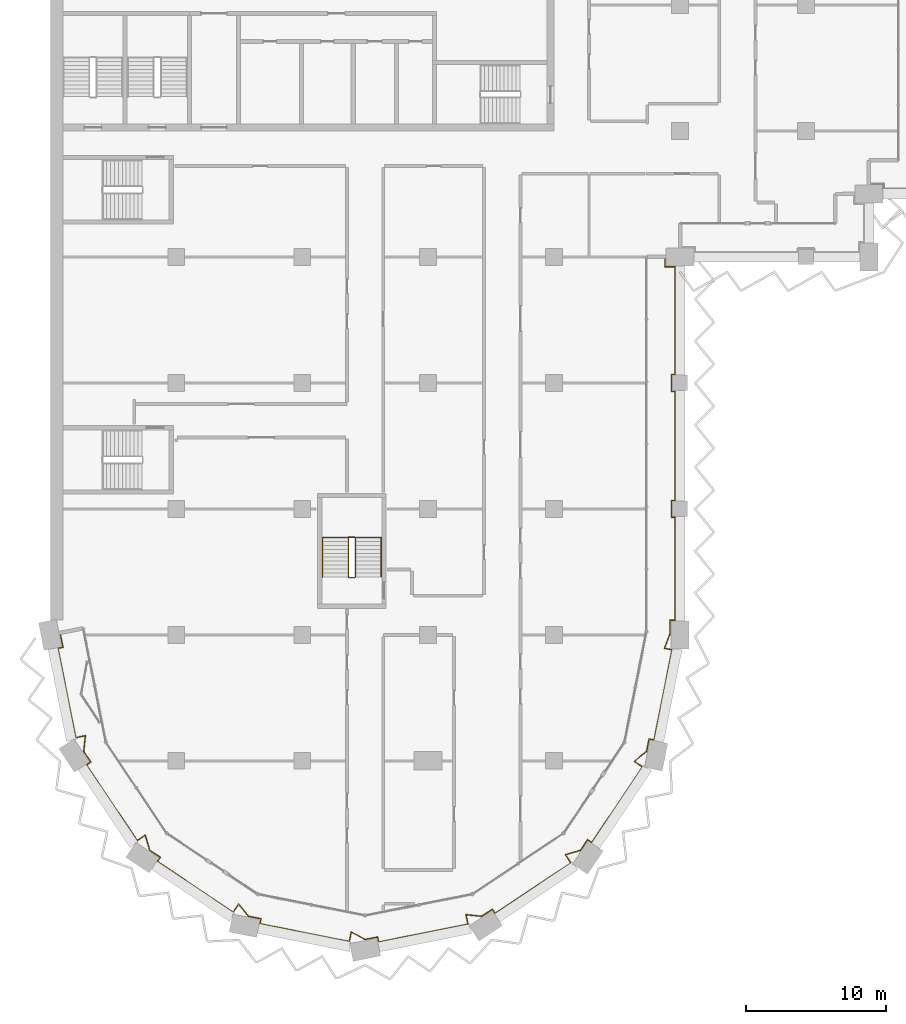
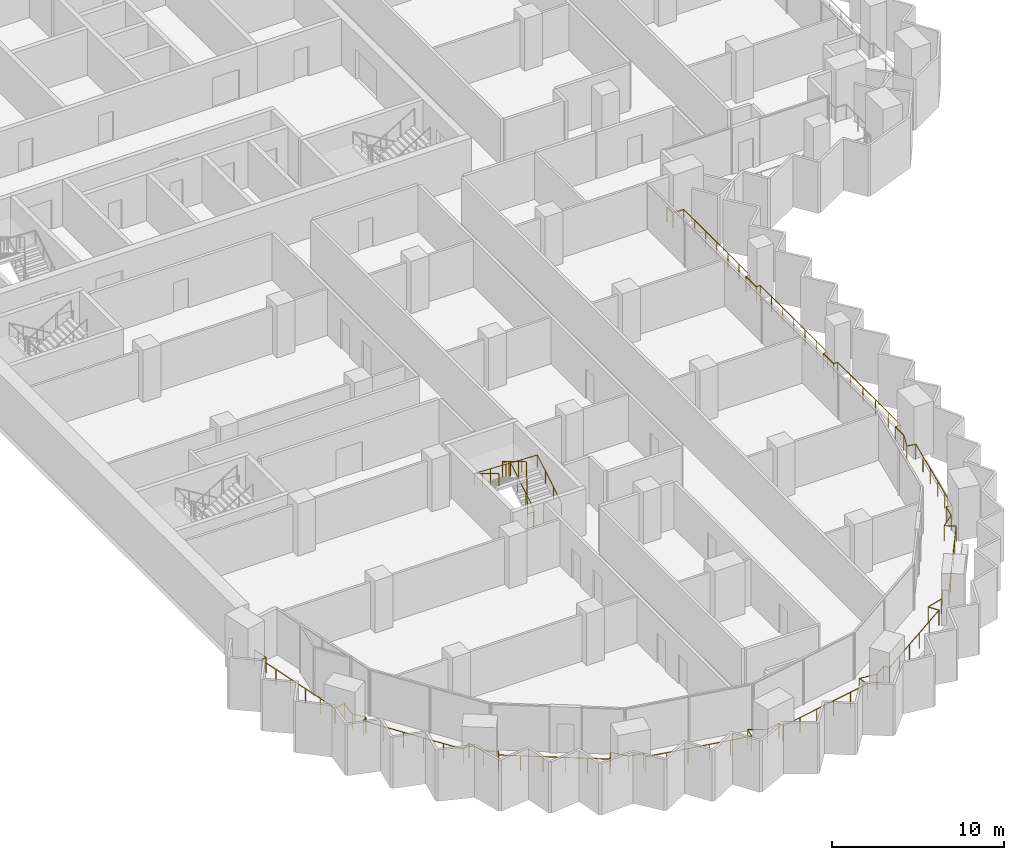
# One storey, part 20 of 23: 3 railings.
"""IFC4 building model written with IfcOpenShell, lengths in metres."""

import ifcopenshell
import ifcopenshell.guid

model = None  # the IFC model being written
_history = None  # IfcOwnerHistory: only IFC2X3 demands one
_inside = {}  # id of a spatial element -> (the spatial element, [elements in it])
_under = {}  # id of a project, library or spatial element -> (it, [spatial elements below it])
_declared = {}  # id of a project -> (the project, [libraries it declares])
_typed = {}  # id of a type object -> (the type object, [elements of that type])
_made_of = {}  # id of a material, layer set ... -> (it, [elements and type objects made of it])


def new_model(schema):
    """Start an empty IFC model of exactly this schema.

    Asked for "IFC4X3", IfcOpenShell would pick the latest addendum, in which some entities
    have other attributes; the version numbers below select the first issue.
    IFC2X3 requires an IfcOwnerHistory on every rooted entity: one is made here for all.
    """
    global model, _history
    if schema == "IFC4X3":
        model = ifcopenshell.file(schema_version=(4, 3, 0, 0))
    else:
        model = ifcopenshell.file(schema=schema)
    _inside.clear()
    _under.clear()
    _declared.clear()
    _typed.clear()
    _made_of.clear()
    _history = None
    if model.schema == "IFC2X3":
        org = make("IfcOrganization", Name="unknown")
        user = make(
            "IfcPersonAndOrganization",
            ThePerson=make("IfcPerson", FamilyName="unknown"),
            TheOrganization=org,
        )
        app = make(
            "IfcApplication",
            ApplicationDeveloper=org,
            Version="unknown",
            ApplicationFullName="unknown",
            ApplicationIdentifier="unknown",
        )
        _history = make(
            "IfcOwnerHistory",
            OwningUser=user,
            OwningApplication=app,
            ChangeAction="ADDED",
            CreationDate=0,
        )
    return model


def make(cls, **values):
    """One entity of the class cls with the attributes given. An attribute that is None is left unset."""
    return model.create_entity(
        cls, **{name: value for name, value in values.items() if value is not None}
    )


def rooted(cls, **values):
    """An entity with a GlobalId (a new one), such as an element, a storey or a relation."""
    return make(cls, GlobalId=ifcopenshell.guid.new(), OwnerHistory=_history, **values)


def si_unit(unit_type, name, prefix=None):
    """IfcSIUnit, for example si_unit("LENGTHUNIT", "METRE", prefix="MILLI")."""
    return make("IfcSIUnit", UnitType=unit_type, Prefix=prefix, Name=name)


def assignment(units):
    """IfcUnitAssignment: the units of a project."""
    return None if units is None else make("IfcUnitAssignment", Units=units)


def point(xyz):
    """IfcCartesianPoint."""
    return None if xyz is None else make("IfcCartesianPoint", Coordinates=xyz)


def direction(xyz):
    """IfcDirection."""
    return None if xyz is None else make("IfcDirection", DirectionRatios=xyz)


def frame(location, z_axis=None, x_axis=None):
    """IfcAxis2Placement3D, a coordinate frame: its origin and axes. An axis left out is left unset."""
    return make(
        "IfcAxis2Placement3D",
        Location=point(location),
        Axis=direction(z_axis),
        RefDirection=direction(x_axis),
    )


def frame_2d(location, x_axis=None):
    """IfcAxis2Placement2D, a coordinate frame in the plane: its origin and x axis."""
    return make(
        "IfcAxis2Placement2D", Location=point(location), RefDirection=direction(x_axis)
    )


def origin():
    """The frame at (0, 0, 0) with its axes left unset."""
    return frame((0.0, 0.0, 0.0))


def origin_2d():
    """The frame at (0, 0) in the plane with its x axis left unset."""
    return frame_2d((0.0, 0.0))


def place(relative_to, where):
    """IfcLocalPlacement: puts the frame where relative to a parent placement (None: the world)."""
    return make(
        "IfcLocalPlacement", PlacementRelTo=relative_to, RelativePlacement=where
    )


def context(
    kind, dimensions, precision=None, world=None, true_north=None, identifier=None
):
    """IfcGeometricRepresentationContext, for example the 3D "Model" context."""
    return make(
        "IfcGeometricRepresentationContext",
        ContextIdentifier=identifier,
        ContextType=kind,
        CoordinateSpaceDimension=dimensions,
        Precision=precision,
        WorldCoordinateSystem=world,
        TrueNorth=true_north,
    )


def subcontext(parent, identifier, kind, view, scale=None):
    """IfcGeometricRepresentationSubContext, for example "Body" below "Model"."""
    return make(
        "IfcGeometricRepresentationSubContext",
        ContextIdentifier=identifier,
        ContextType=kind,
        ParentContext=parent,
        TargetScale=scale,
        TargetView=view,
    )


def project(units=None, contexts=None):
    """IfcProject with its units and contexts."""
    return rooted(
        "IfcProject",
        Name="project",
        RepresentationContexts=contexts,
        UnitsInContext=assignment(units),
    )


def spatial(cls, under=None, at=None, **own):
    """A site, building, storey or space (cls), placed at a placement, below another one or the project."""
    s = rooted(cls, ObjectPlacement=at, **own)
    if under is not None:
        _under.setdefault(under.id(), (under, []))[1].append(s)
    return s


def profile(cls, at=None, kind="AREA", **sizes):
    """A parametric profile (cls). Its sizes go by their IFC names, for example OverallWidth=200.0."""
    return make(cls, ProfileType=kind, Position=at, **sizes)


def circle(**sizes):
    """IfcCircleProfileDef."""
    return profile("IfcCircleProfileDef", **sizes)


def extrude(swept, where, along, depth):
    """IfcExtrudedAreaSolid: the profile swept, set in the frame where, extruded along a direction by depth."""
    return make(
        "IfcExtrudedAreaSolid",
        SweptArea=swept,
        Position=where,
        ExtrudedDirection=direction(along),
        Depth=depth,
    )


def shape(context_of_items, identifier, shape_type, items):
    """IfcShapeRepresentation: the items that make up one representation, for example the "Body"."""
    return make(
        "IfcShapeRepresentation",
        ContextOfItems=context_of_items,
        RepresentationIdentifier=identifier,
        RepresentationType=shape_type,
        Items=items,
    )


def material(Name=None, Category=None):
    """IfcMaterial."""
    return make("IfcMaterial", Name=Name, Category=Category)


def made_of(thing, what):
    """Note that an element or type object is made of a material, layer set ...; save() writes the relation."""
    if what is not None:
        _made_of.setdefault(what.id(), (what, []))[1].append(thing)
    return thing


def type_object(cls, material=None, **own):
    """A type object (cls), such as IfcWallType, which elements share."""
    return made_of(rooted(cls, **own), material)


def element(
    cls,
    number,
    at=None,
    inside=None,
    cuts=None,
    type_object=None,
    material=None,
    context=None,
    identifier="Body",
    shape_type=None,
    held_by="IfcProductDefinitionShape",
    body=None,
    shapes=None,
    **own,
):
    """One element of the class cls, such as IfcWall. Its Tag is "e" and its number.

    at: its placement. inside: the storey or other place that contains it. cuts: it is an
    opening in that element (IfcRelVoidsElement). A single representation is given by context,
    identifier, shape_type and body (its items); several are given by shapes. held_by: the class
    of the entity that holds the representations. save() writes the other relations.
    """
    e = rooted(cls, Tag="e%d" % number, ObjectPlacement=at, **own)
    if body is not None:
        shapes = [shape(context, identifier, shape_type, body)]
    if shapes is not None:
        e.Representation = make(held_by, Representations=shapes)
    if inside is not None:
        _inside.setdefault(inside.id(), (inside, []))[1].append(e)
    if cuts is not None:
        rooted(
            "IfcRelVoidsElement", RelatingBuildingElement=cuts, RelatedOpeningElement=e
        )
    if type_object is not None:
        _typed.setdefault(type_object.id(), (type_object, []))[1].append(e)
    return made_of(e, material)


def aggregate(whole, parts):
    """IfcRelAggregates: a whole, such as a stair, and the parts it consists of."""
    return rooted("IfcRelAggregates", RelatingObject=whole, RelatedObjects=parts)


def save(model, path):
    """Write the relations noted so far, then the file.

    IfcRelAggregates (storeys below a building ...), IfcRelContainedInSpatialStructure (elements
    in a storey), IfcRelDefinesByType, IfcRelAssociatesMaterial and IfcRelDeclares: one each for
    every whole, place, type object, material and project.
    """
    for whole, parts in _under.values():
        aggregate(whole, parts)
    for where, things in _inside.values():
        rooted(
            "IfcRelContainedInSpatialStructure",
            RelatedElements=things,
            RelatingStructure=where,
        )
    for kind, things in _typed.values():
        rooted("IfcRelDefinesByType", RelatedObjects=things, RelatingType=kind)
    for what, things in _made_of.values():
        rooted("IfcRelAssociatesMaterial", RelatedObjects=things, RelatingMaterial=what)
    for by, libraries in _declared.values():
        rooted("IfcRelDeclares", RelatingContext=by, RelatedDefinitions=libraries)
    model.write(path)


model = new_model("IFC4")

# Units and contexts
model_context = context("Model", 3, precision=1e-05, world=origin(), true_north=direction((0.0, 1.0)))
body_context = subcontext(model_context, "Body", "Model", "MODEL_VIEW")
ifc_project = project(units=[si_unit("LENGTHUNIT", "METRE"), si_unit("AREAUNIT", "SQUARE_METRE"), si_unit("VOLUMEUNIT", "CUBIC_METRE"), si_unit("PLANEANGLEUNIT", "RADIAN"), si_unit("MASSUNIT", "GRAM", prefix="KILO")], contexts=[model_context])

# Site, building, storey
site_placement = place(None, origin())
site = spatial("IfcSite", under=ifc_project, at=site_placement, CompositionType="ELEMENT")
building_placement = place(site_placement, origin())
building = spatial("IfcBuilding", under=site, at=building_placement, Name="Hunhe Ridgeline Campus", CompositionType="ELEMENT")
storey_placement = place(building_placement, frame((0.0, 0.0, 170.800048828125)))
storey = spatial("IfcBuildingStorey", under=building, at=storey_placement, Name="L43", CompositionType="ELEMENT", Elevation=170.800048828125)

# Railings
ifc_material_1 = material(Name="Steel Q355", Category="steel")
railing_type_1 = type_object("IfcRailingType", Name="Loggia guard 1100 Steel Q355", PredefinedType="GUARDRAIL", material=ifc_material_1)
railing_1_placement = place(storey_placement, frame((0.7060546875, 27.140380859375, 0.0)))
element("IfcRailing", 1, at=railing_1_placement, inside=storey, type_object=railing_type_1, Name="Loggia guard 1", PredefinedType="GUARDRAIL", context=body_context, shape_type="SweptSolid", body=[
    extrude(circle(Radius=0.02392578125, at=origin_2d()), frame((0.0, 0.0, 1.076171875), z_axis=(0.195087556151, -0.980785830564, 0.0), x_axis=(0.980785830564, 0.195087556151, 0.0)), (0.0, 0.0, 1.0), 1.050048828125),
    extrude(circle(Radius=0.02392578125, at=origin_2d()), frame((0.204833984375, -1.02978515625, 1.076171875), z_axis=(-0.980858940504, -0.194719641621, 0.0), x_axis=(0.194719641621, -0.980858940504, 0.0)), (0.0, 0.0, 1.0), 0.369873046875),
    extrude(circle(Radius=0.02392578125, at=origin_2d()), frame((-0.157958984375, -1.101806640625, 1.076171875), z_axis=(0.19507695386, -0.9807879394, 0.0), x_axis=(0.9807879394, 0.19507695386, 0.0)), (0.0, 0.0, 1.0), 6.506591796875),
    extrude(circle(Radius=0.02392578125, at=origin_2d()), frame((1.111328125, -7.4833984375, 1.076171875), z_axis=(0.980780459814, 0.195114555191, 0.0), x_axis=(-0.195114555191, 0.980780459814, 0.0)), (0.0, 0.0, 1.0), 0.703125),
    extrude(circle(Radius=0.02392578125, at=origin_2d()), frame((1.801025390625, -7.34619140625, 1.076171875), z_axis=(-0.102884402445, -0.994693319437, 0.0), x_axis=(0.994693319437, -0.102884402445, 0.0)), (0.0, 0.0, 1.0), 1.129638671875),
    extrude(circle(Radius=0.02392578125, at=origin_2d()), frame((1.684814453125, -8.4697265625, 1.076171875), z_axis=(0.555569523548, -0.831470086356, 0.0), x_axis=(0.831470086356, 0.555569523548, 0.0)), (0.0, 0.0, 1.0), 0.906982421875),
    extrude(circle(Radius=0.02392578125, at=origin_2d()), frame((2.188720703125, -9.223876953125, 1.076171875), z_axis=(-0.831440678638, -0.555613532868, 0.0), x_axis=(0.555613532868, -0.831440678638, 0.0)), (0.0, 0.0, 1.0), 0.369873046875),
    extrude(circle(Radius=0.02392578125, at=origin_2d()), frame((1.881103515625, -9.429443359375, 1.076171875), z_axis=(0.55556581165, -0.83147256655, 0.0), x_axis=(0.83147256655, 0.55556581165, 0.0)), (0.0, 0.0, 1.0), 6.50634765625),
    extrude(circle(Radius=0.02392578125, at=origin_2d()), frame((5.495849609375, -14.83935546875, 1.076171875), z_axis=(0.831355400166, 0.555741125539, 0.0), x_axis=(-0.555741125539, 0.831355400166, 0.0)), (0.0, 0.0, 1.0), 0.703369140625),
    extrude(circle(Radius=0.02392578125, at=origin_2d()), frame((6.08056640625, -14.448486328125, 1.076171875), z_axis=(0.285463917281, -0.958389457335, 0.0), x_axis=(0.958389457335, 0.285463917281, 0.0)), (0.0, 0.0, 1.0), 1.1298828125),
    extrude(circle(Radius=0.02392578125, at=origin_2d()), frame((6.403076171875, -15.53125, 1.076171875), z_axis=(0.831511358569, -0.555507750235, 0.0), x_axis=(0.555507750235, 0.831511358569, 0.0)), (0.0, 0.0, 1.0), 0.90673828125),
    extrude(circle(Radius=0.02392578125, at=origin_2d()), frame((7.156982421875, -16.034912109375, 1.076171875), z_axis=(-0.555613532868, -0.831440678638, 0.0), x_axis=(0.831440678638, -0.555613532868, 0.0)), (0.0, 0.0, 1.0), 0.369873046875),
    extrude(circle(Radius=0.02392578125, at=origin_2d()), frame((6.951416015625, -16.342529296875, 1.076171875), z_axis=(0.831455233209, -0.555591752251, 0.0), x_axis=(0.555591752251, 0.831455233209, 0.0)), (0.0, 0.0, 1.0), 6.506591796875),
    extrude(circle(Radius=0.02392578125, at=origin_2d()), frame((12.361328125, -19.95751953125, 1.076171875), z_axis=(0.555741125539, 0.831355400166, 0.0), x_axis=(-0.831355400166, 0.555741125539, 0.0)), (0.0, 0.0, 1.0), 0.703369140625),
    extrude(circle(Radius=0.02392578125, at=origin_2d()), frame((12.752197265625, -19.372802734375, 1.076171875), z_axis=(0.630633305327, -0.776080945657, 0.0), x_axis=(0.776080945657, 0.630633305327, 0.0)), (0.0, 0.0, 1.0), 1.129638671875),
    extrude(circle(Radius=0.02392578125, at=origin_2d()), frame((13.464599609375, -20.24951171875, 1.076171875), z_axis=(0.980807887006, -0.194976636516, 0.0), x_axis=(0.194976636516, 0.980807887006, 0.0)), (0.0, 0.0, 1.0), 0.906494140625),
    extrude(circle(Radius=0.02392578125, at=origin_2d()), frame((14.353759765625, -20.42626953125, 1.076171875), z_axis=(-0.194593653816, -0.980883943132, 0.0), x_axis=(0.980883943132, -0.194593653816, 0.0)), (0.0, 0.0, 1.0), 0.3701171875),
    extrude(circle(Radius=0.02392578125, at=origin_2d()), frame((14.28173828125, -20.789306640625, 1.076171875), z_axis=(0.98078651142, -0.195084133173, 0.0), x_axis=(0.195084133173, 0.98078651142, 0.0)), (0.0, 0.0, 1.0), 6.50634765625),
    extrude(circle(Radius=0.02392578125, at=origin_2d()), frame((20.6630859375, -22.05859375, 1.076171875), z_axis=(0.195114555191, 0.980780459814, 0.0), x_axis=(-0.980780459814, 0.195114555191, 0.0)), (0.0, 0.0, 1.0), 0.703125),
    extrude(circle(Radius=0.02392578125, at=origin_2d()), frame((20.80029296875, -21.368896484375, 1.076171875), z_axis=(0.879616090555, -0.475684278946, 0.0), x_axis=(0.475684278946, 0.879616090555, 0.0)), (0.0, 0.0, 1.0), 1.129638671875),
    extrude(circle(Radius=0.02392578125, at=origin_2d()), frame((21.7939453125, -21.90625, 1.076171875), z_axis=(0.98081812081, 0.194925149456, 0.0), x_axis=(-0.194925149456, 0.98081812081, 0.0)), (0.0, 0.0, 1.0), 0.90673828125),
    extrude(circle(Radius=0.02392578125, at=origin_2d()), frame((22.683349609375, -21.7294921875, 1.076171875), z_axis=(0.194719641621, -0.980858940504, 0.0), x_axis=(0.980858940504, 0.194719641621, 0.0)), (0.0, 0.0, 1.0), 0.369873046875),
    extrude(circle(Radius=0.02392578125, at=origin_2d()), frame((22.75537109375, -22.09228515625, 1.076171875), z_axis=(0.9807879394, 0.19507695386, 0.0), x_axis=(-0.19507695386, 0.9807879394, 0.0)), (0.0, 0.0, 1.0), 6.506591796875),
    extrude(circle(Radius=0.02392578125, at=origin_2d()), frame((29.136962890625, -20.822998046875, 1.076171875), z_axis=(-0.195114555191, 0.980780459814, 0.0), x_axis=(-0.980780459814, -0.195114555191, 0.0)), (0.0, 0.0, 1.0), 0.703125),
    extrude(circle(Radius=0.02392578125, at=origin_2d()), frame((28.999755859375, -20.13330078125, 1.076171875), z_axis=(0.994693319437, -0.102884402445, 0.0), x_axis=(0.102884402445, 0.994693319437, 0.0)), (0.0, 0.0, 1.0), 1.129638671875),
    extrude(circle(Radius=0.02392578125, at=origin_2d()), frame((30.123291015625, -20.24951171875, 1.076171875), z_axis=(0.831470086356, 0.555569523548, 0.0), x_axis=(-0.555569523548, 0.831470086356, 0.0)), (0.0, 0.0, 1.0), 0.906982421875),
    extrude(circle(Radius=0.02392578125, at=origin_2d()), frame((30.87744140625, -19.74560546875, 1.076171875), z_axis=(0.555613532868, -0.831440678638, 0.0), x_axis=(0.831440678638, 0.555613532868, 0.0)), (0.0, 0.0, 1.0), 0.369873046875),
    extrude(circle(Radius=0.02392578125, at=origin_2d()), frame((31.0830078125, -20.05322265625, 1.076171875), z_axis=(0.83147256655, 0.55556581165, 0.0), x_axis=(-0.55556581165, 0.83147256655, 0.0)), (0.0, 0.0, 1.0), 6.50634765625),
    extrude(circle(Radius=0.02392578125, at=origin_2d()), frame((36.492919921875, -16.4384765625, 1.076171875), z_axis=(-0.555741125539, 0.831355400166, 0.0), x_axis=(-0.831355400166, -0.555741125539, 0.0)), (0.0, 0.0, 1.0), 0.703369140625),
    extrude(circle(Radius=0.02392578125, at=origin_2d()), frame((36.10205078125, -15.853759765625, 1.076171875), z_axis=(0.958389457335, 0.285463917281, 0.0), x_axis=(-0.285463917281, 0.958389457335, 0.0)), (0.0, 0.0, 1.0), 1.1298828125),
    extrude(circle(Radius=0.02392578125, at=origin_2d()), frame((37.184814453125, -15.53125, 1.076171875), z_axis=(0.555507750235, 0.831511358569, 0.0), x_axis=(-0.831511358569, 0.555507750235, 0.0)), (0.0, 0.0, 1.0), 0.90673828125),
    extrude(circle(Radius=0.02392578125, at=origin_2d()), frame((37.6884765625, -14.77734375, 1.076171875), z_axis=(0.831440678638, -0.555613532868, 0.0), x_axis=(0.555613532868, 0.831440678638, 0.0)), (0.0, 0.0, 1.0), 0.369873046875),
    extrude(circle(Radius=0.02392578125, at=origin_2d()), frame((37.99609375, -14.98291015625, 1.076171875), z_axis=(0.555591752251, 0.831455233209, 0.0), x_axis=(-0.831455233209, 0.555591752251, 0.0)), (0.0, 0.0, 1.0), 6.506591796875),
    extrude(circle(Radius=0.02392578125, at=origin_2d()), frame((41.611083984375, -9.572998046875, 1.076171875), z_axis=(-0.831355400166, 0.555741125539, 0.0), x_axis=(-0.555741125539, -0.831355400166, 0.0)), (0.0, 0.0, 1.0), 0.703369140625),
    extrude(circle(Radius=0.02392578125, at=origin_2d()), frame((41.0263671875, -9.18212890625, 1.076171875), z_axis=(0.776080945657, 0.630633305327, 0.0), x_axis=(-0.630633305327, 0.776080945657, 0.0)), (0.0, 0.0, 1.0), 1.129638671875),
    extrude(circle(Radius=0.02392578125, at=origin_2d()), frame((41.903076171875, -8.4697265625, 1.076171875), z_axis=(0.194976636516, 0.980807887006, 0.0), x_axis=(-0.980807887006, 0.194976636516, 0.0)), (0.0, 0.0, 1.0), 0.906494140625),
    extrude(circle(Radius=0.02392578125, at=origin_2d()), frame((42.079833984375, -7.58056640625, 1.076171875), z_axis=(0.980883943132, -0.194593653816, 0.0), x_axis=(0.194593653816, 0.980883943132, 0.0)), (0.0, 0.0, 1.0), 0.3701171875),
    extrude(circle(Radius=0.02392578125, at=origin_2d()), frame((42.44287109375, -7.652587890625, 1.076171875), z_axis=(0.195087191819, 0.980785903033, 0.0), x_axis=(-0.980785903033, 0.195087191819, 0.0)), (0.0, 0.0, 1.0), 6.5712890625),
    extrude(circle(Radius=0.02392578125, at=origin_2d()), frame((43.724853515625, -1.20751953125, 1.076171875), z_axis=(-0.9807502228, 0.195266485801, 0.0), x_axis=(-0.195266485801, -0.9807502228, 0.0)), (0.0, 0.0, 1.0), 0.552734375),
    extrude(circle(Radius=0.02392578125, at=origin_2d()), frame((43.182861328125, -1.099609375, 1.076171875), z_axis=(0.354981524628, 0.934873316109, 0.0), x_axis=(-0.934873316109, 0.354981524628, 0.0)), (0.0, 0.0, 1.0), 1.101806640625),
    extrude(circle(Radius=0.02392578125, at=origin_2d()), frame((43.573974609375, -0.069580078125, 1.076171875), z_axis=(0.0, 1.0, 0.0), x_axis=(-1.0, 0.0, 0.0)), (0.0, 0.0, 1.0), 0.979248046875),
    extrude(circle(Radius=0.02392578125, at=origin_2d()), frame((43.573974609375, 0.90966796875, 1.076171875), z_axis=(1.0, 0.0, 0.0), x_axis=(0.0, 1.0, 0.0)), (0.0, 0.0, 1.0), 0.369873046875),
    extrude(circle(Radius=0.02392578125, at=origin_2d()), frame((43.94384765625, 0.90966796875, 1.076171875), z_axis=(0.0, 1.0, 0.0), x_axis=(-1.0, 0.0, 0.0)), (0.0, 0.0, 1.0), 7.349853515625),
    extrude(circle(Radius=0.02392578125, at=origin_2d()), frame((43.94384765625, 8.259521484375, 1.076171875), z_axis=(-1.0, 0.0, 0.0), x_axis=(0.0, -1.0, 0.0)), (0.0, 0.0, 1.0), 0.27001953125),
    extrude(circle(Radius=0.02392578125, at=origin_2d()), frame((43.673828125, 8.259521484375, 1.076171875), z_axis=(0.0, 1.0, 0.0), x_axis=(-1.0, 0.0, 0.0)), (0.0, 0.0, 1.0), 1.2001953125),
    extrude(circle(Radius=0.02392578125, at=origin_2d()), frame((43.673828125, 9.459716796875, 1.076171875), z_axis=(1.0, 0.0, 0.0), x_axis=(0.0, 1.0, 0.0)), (0.0, 0.0, 1.0), 0.27001953125),
    extrude(circle(Radius=0.02392578125, at=origin_2d()), frame((43.94384765625, 9.459716796875, 1.076171875), z_axis=(0.0, 1.0, 0.0), x_axis=(-1.0, 0.0, 0.0)), (0.0, 0.0, 1.0), 7.7998046875),
    extrude(circle(Radius=0.02392578125, at=origin_2d()), frame((43.94384765625, 17.259521484375, 1.076171875), z_axis=(-1.0, 0.0, 0.0), x_axis=(0.0, -1.0, 0.0)), (0.0, 0.0, 1.0), 0.27001953125),
    extrude(circle(Radius=0.02392578125, at=origin_2d()), frame((43.673828125, 17.259521484375, 1.076171875), z_axis=(0.0, 1.0, 0.0), x_axis=(-1.0, 0.0, 0.0)), (0.0, 0.0, 1.0), 1.2001953125),
    extrude(circle(Radius=0.02392578125, at=origin_2d()), frame((43.673828125, 18.459716796875, 1.076171875), z_axis=(1.0, 0.0, 0.0), x_axis=(0.0, 1.0, 0.0)), (0.0, 0.0, 1.0), 0.27001953125),
    extrude(circle(Radius=0.02392578125, at=origin_2d()), frame((43.94384765625, 18.459716796875, 1.076171875), z_axis=(0.0, 1.0, 0.0), x_axis=(-1.0, 0.0, 0.0)), (0.0, 0.0, 1.0), 7.699951171875),
    extrude(circle(Radius=0.02392578125, at=origin_2d()), frame((43.94384765625, 26.15966796875, 1.076171875), z_axis=(-1.0, 0.0, 0.0), x_axis=(0.0, -1.0, 0.0)), (0.0, 0.0, 1.0), 0.719970703125),
    extrude(circle(Radius=0.02392578125, at=origin_2d()), frame((43.223876953125, 26.15966796875, 1.076171875), z_axis=(0.0, 1.0, 0.0), x_axis=(-1.0, 0.0, 0.0)), (0.0, 0.0, 1.0), 0.699951171875),
    extrude(circle(Radius=0.02099609375, at=origin_2d()), origin(), (0.0, 0.0, 1.0), 1.052001953125),
    extrude(circle(Radius=0.02099609375, at=origin_2d()), frame((0.204833984375, -1.02978515625, 0.0)), (0.0, 0.0, 1.0), 1.052001953125),
    extrude(circle(Radius=0.02099609375, at=origin_2d()), frame((-0.157958984375, -1.101806640625, 0.0)), (0.0, 0.0, 1.0), 1.052001953125),
    extrude(circle(Radius=0.02099609375, at=origin_2d()), frame((0.095947265625, -2.378173828125, 0.0)), (0.0, 0.0, 1.0), 1.052001953125),
    extrude(circle(Radius=0.02099609375, at=origin_2d()), frame((0.349853515625, -3.654541015625, 0.0)), (0.0, 0.0, 1.0), 1.052001953125),
    extrude(circle(Radius=0.02099609375, at=origin_2d()), frame((0.603515625, -4.9306640625, 0.0)), (0.0, 0.0, 1.0), 1.052001953125),
    extrude(circle(Radius=0.02099609375, at=origin_2d()), frame((0.857421875, -6.20703125, 0.0)), (0.0, 0.0, 1.0), 1.052001953125),
    extrude(circle(Radius=0.02099609375, at=origin_2d()), frame((1.111328125, -7.4833984375, 0.0)), (0.0, 0.0, 1.0), 1.052001953125),
    extrude(circle(Radius=0.02099609375, at=origin_2d()), frame((1.801025390625, -7.34619140625, 0.0)), (0.0, 0.0, 1.0), 1.052001953125),
    extrude(circle(Radius=0.02099609375, at=origin_2d()), frame((1.684814453125, -8.4697265625, 0.0)), (0.0, 0.0, 1.0), 1.052001953125),
    extrude(circle(Radius=0.02099609375, at=origin_2d()), frame((2.188720703125, -9.223876953125, 0.0)), (0.0, 0.0, 1.0), 1.052001953125),
    extrude(circle(Radius=0.02099609375, at=origin_2d()), frame((1.881103515625, -9.429443359375, 0.0)), (0.0, 0.0, 1.0), 1.052001953125),
    extrude(circle(Radius=0.02099609375, at=origin_2d()), frame((2.60400390625, -10.511474609375, 0.0)), (0.0, 0.0, 1.0), 1.052001953125),
    extrude(circle(Radius=0.02099609375, at=origin_2d()), frame((3.326904296875, -11.593505859375, 0.0)), (0.0, 0.0, 1.0), 1.052001953125),
    extrude(circle(Radius=0.02099609375, at=origin_2d()), frame((4.050048828125, -12.67529296875, 0.0)), (0.0, 0.0, 1.0), 1.052001953125),
    extrude(circle(Radius=0.02099609375, at=origin_2d()), frame((4.77294921875, -13.75732421875, 0.0)), (0.0, 0.0, 1.0), 1.052001953125),
    extrude(circle(Radius=0.02099609375, at=origin_2d()), frame((5.495849609375, -14.83935546875, 0.0)), (0.0, 0.0, 1.0), 1.052001953125),
    extrude(circle(Radius=0.02099609375, at=origin_2d()), frame((6.08056640625, -14.448486328125, 0.0)), (0.0, 0.0, 1.0), 1.052001953125),
    extrude(circle(Radius=0.02099609375, at=origin_2d()), frame((6.403076171875, -15.53125, 0.0)), (0.0, 0.0, 1.0), 1.052001953125),
    extrude(circle(Radius=0.02099609375, at=origin_2d()), frame((7.156982421875, -16.034912109375, 0.0)), (0.0, 0.0, 1.0), 1.052001953125),
    extrude(circle(Radius=0.02099609375, at=origin_2d()), frame((6.951416015625, -16.342529296875, 0.0)), (0.0, 0.0, 1.0), 1.052001953125),
    extrude(circle(Radius=0.02099609375, at=origin_2d()), frame((8.033447265625, -17.0654296875, 0.0)), (0.0, 0.0, 1.0), 1.052001953125),
    extrude(circle(Radius=0.02099609375, at=origin_2d()), frame((9.115478515625, -17.78857421875, 0.0)), (0.0, 0.0, 1.0), 1.052001953125),
    extrude(circle(Radius=0.02099609375, at=origin_2d()), frame((10.197265625, -18.511474609375, 0.0)), (0.0, 0.0, 1.0), 1.052001953125),
    extrude(circle(Radius=0.02099609375, at=origin_2d()), frame((11.279296875, -19.234619140625, 0.0)), (0.0, 0.0, 1.0), 1.052001953125),
    extrude(circle(Radius=0.02099609375, at=origin_2d()), frame((12.361328125, -19.95751953125, 0.0)), (0.0, 0.0, 1.0), 1.052001953125),
    extrude(circle(Radius=0.02099609375, at=origin_2d()), frame((12.752197265625, -19.372802734375, 0.0)), (0.0, 0.0, 1.0), 1.052001953125),
    extrude(circle(Radius=0.02099609375, at=origin_2d()), frame((13.464599609375, -20.24951171875, 0.0)), (0.0, 0.0, 1.0), 1.052001953125),
    extrude(circle(Radius=0.02099609375, at=origin_2d()), frame((14.353759765625, -20.42626953125, 0.0)), (0.0, 0.0, 1.0), 1.052001953125),
    extrude(circle(Radius=0.02099609375, at=origin_2d()), frame((14.28173828125, -20.789306640625, 0.0)), (0.0, 0.0, 1.0), 1.052001953125),
    extrude(circle(Radius=0.02099609375, at=origin_2d()), frame((15.55810546875, -21.043212890625, 0.0)), (0.0, 0.0, 1.0), 1.052001953125),
    extrude(circle(Radius=0.02099609375, at=origin_2d()), frame((16.834228515625, -21.297119140625, 0.0)), (0.0, 0.0, 1.0), 1.052001953125),
    extrude(circle(Radius=0.02099609375, at=origin_2d()), frame((18.110595703125, -21.55078125, 0.0)), (0.0, 0.0, 1.0), 1.052001953125),
    extrude(circle(Radius=0.02099609375, at=origin_2d()), frame((19.38671875, -21.8046875, 0.0)), (0.0, 0.0, 1.0), 1.052001953125),
    extrude(circle(Radius=0.02099609375, at=origin_2d()), frame((20.6630859375, -22.05859375, 0.0)), (0.0, 0.0, 1.0), 1.052001953125),
    extrude(circle(Radius=0.02099609375, at=origin_2d()), frame((20.80029296875, -21.368896484375, 0.0)), (0.0, 0.0, 1.0), 1.052001953125),
    extrude(circle(Radius=0.02099609375, at=origin_2d()), frame((21.7939453125, -21.90625, 0.0)), (0.0, 0.0, 1.0), 1.052001953125),
    extrude(circle(Radius=0.02099609375, at=origin_2d()), frame((22.683349609375, -21.7294921875, 0.0)), (0.0, 0.0, 1.0), 1.052001953125),
    extrude(circle(Radius=0.02099609375, at=origin_2d()), frame((22.75537109375, -22.09228515625, 0.0)), (0.0, 0.0, 1.0), 1.052001953125),
    extrude(circle(Radius=0.02099609375, at=origin_2d()), frame((24.03173828125, -21.83837890625, 0.0)), (0.0, 0.0, 1.0), 1.052001953125),
    extrude(circle(Radius=0.02099609375, at=origin_2d()), frame((25.30810546875, -21.58447265625, 0.0)), (0.0, 0.0, 1.0), 1.052001953125),
    extrude(circle(Radius=0.02099609375, at=origin_2d()), frame((26.584228515625, -21.330810546875, 0.0)), (0.0, 0.0, 1.0), 1.052001953125),
    extrude(circle(Radius=0.02099609375, at=origin_2d()), frame((27.860595703125, -21.076904296875, 0.0)), (0.0, 0.0, 1.0), 1.052001953125),
    extrude(circle(Radius=0.02099609375, at=origin_2d()), frame((29.136962890625, -20.822998046875, 0.0)), (0.0, 0.0, 1.0), 1.052001953125),
    extrude(circle(Radius=0.02099609375, at=origin_2d()), frame((28.999755859375, -20.13330078125, 0.0)), (0.0, 0.0, 1.0), 1.052001953125),
    extrude(circle(Radius=0.02099609375, at=origin_2d()), frame((30.123291015625, -20.24951171875, 0.0)), (0.0, 0.0, 1.0), 1.052001953125),
    extrude(circle(Radius=0.02099609375, at=origin_2d()), frame((30.87744140625, -19.74560546875, 0.0)), (0.0, 0.0, 1.0), 1.052001953125),
    extrude(circle(Radius=0.02099609375, at=origin_2d()), frame((31.0830078125, -20.05322265625, 0.0)), (0.0, 0.0, 1.0), 1.052001953125),
    extrude(circle(Radius=0.02099609375, at=origin_2d()), frame((32.1650390625, -19.330322265625, 0.0)), (0.0, 0.0, 1.0), 1.052001953125),
    extrude(circle(Radius=0.02099609375, at=origin_2d()), frame((33.2470703125, -18.607421875, 0.0)), (0.0, 0.0, 1.0), 1.052001953125),
    extrude(circle(Radius=0.02099609375, at=origin_2d()), frame((34.328857421875, -17.88427734375, 0.0)), (0.0, 0.0, 1.0), 1.052001953125),
    extrude(circle(Radius=0.02099609375, at=origin_2d()), frame((35.410888671875, -17.161376953125, 0.0)), (0.0, 0.0, 1.0), 1.052001953125),
    extrude(circle(Radius=0.02099609375, at=origin_2d()), frame((36.492919921875, -16.4384765625, 0.0)), (0.0, 0.0, 1.0), 1.052001953125),
    extrude(circle(Radius=0.02099609375, at=origin_2d()), frame((36.10205078125, -15.853759765625, 0.0)), (0.0, 0.0, 1.0), 1.052001953125),
    extrude(circle(Radius=0.02099609375, at=origin_2d()), frame((37.184814453125, -15.53125, 0.0)), (0.0, 0.0, 1.0), 1.052001953125),
    extrude(circle(Radius=0.02099609375, at=origin_2d()), frame((37.6884765625, -14.77734375, 0.0)), (0.0, 0.0, 1.0), 1.052001953125),
    extrude(circle(Radius=0.02099609375, at=origin_2d()), frame((37.99609375, -14.98291015625, 0.0)), (0.0, 0.0, 1.0), 1.052001953125),
    extrude(circle(Radius=0.02099609375, at=origin_2d()), frame((38.718994140625, -13.90087890625, 0.0)), (0.0, 0.0, 1.0), 1.052001953125),
    extrude(circle(Radius=0.02099609375, at=origin_2d()), frame((39.442138671875, -12.81884765625, 0.0)), (0.0, 0.0, 1.0), 1.052001953125),
    extrude(circle(Radius=0.02099609375, at=origin_2d()), frame((40.1650390625, -11.737060546875, 0.0)), (0.0, 0.0, 1.0), 1.052001953125),
    extrude(circle(Radius=0.02099609375, at=origin_2d()), frame((40.88818359375, -10.655029296875, 0.0)), (0.0, 0.0, 1.0), 1.052001953125),
    extrude(circle(Radius=0.02099609375, at=origin_2d()), frame((41.611083984375, -9.572998046875, 0.0)), (0.0, 0.0, 1.0), 1.052001953125),
    extrude(circle(Radius=0.02099609375, at=origin_2d()), frame((41.0263671875, -9.18212890625, 0.0)), (0.0, 0.0, 1.0), 1.052001953125),
    extrude(circle(Radius=0.02099609375, at=origin_2d()), frame((41.903076171875, -8.4697265625, 0.0)), (0.0, 0.0, 1.0), 1.052001953125),
    extrude(circle(Radius=0.02099609375, at=origin_2d()), frame((42.079833984375, -7.58056640625, 0.0)), (0.0, 0.0, 1.0), 1.052001953125),
    extrude(circle(Radius=0.02099609375, at=origin_2d()), frame((42.44287109375, -7.652587890625, 0.0)), (0.0, 0.0, 1.0), 1.052001953125),
    extrude(circle(Radius=0.02099609375, at=origin_2d()), frame((42.69921875, -6.363525390625, 0.0)), (0.0, 0.0, 1.0), 1.052001953125),
    extrude(circle(Radius=0.02099609375, at=origin_2d()), frame((42.95556640625, -5.074462890625, 0.0)), (0.0, 0.0, 1.0), 1.052001953125),
    extrude(circle(Radius=0.02099609375, at=origin_2d()), frame((43.212158203125, -3.78564453125, 0.0)), (0.0, 0.0, 1.0), 1.052001953125),
    extrude(circle(Radius=0.02099609375, at=origin_2d()), frame((43.468505859375, -2.49658203125, 0.0)), (0.0, 0.0, 1.0), 1.052001953125),
    extrude(circle(Radius=0.02099609375, at=origin_2d()), frame((43.724853515625, -1.20751953125, 0.0)), (0.0, 0.0, 1.0), 1.052001953125),
    extrude(circle(Radius=0.02099609375, at=origin_2d()), frame((43.182861328125, -1.099609375, 0.0)), (0.0, 0.0, 1.0), 1.052001953125),
    extrude(circle(Radius=0.02099609375, at=origin_2d()), frame((43.573974609375, -0.069580078125, 0.0)), (0.0, 0.0, 1.0), 1.052001953125),
    extrude(circle(Radius=0.02099609375, at=origin_2d()), frame((43.573974609375, 0.90966796875, 0.0)), (0.0, 0.0, 1.0), 1.052001953125),
    extrude(circle(Radius=0.02099609375, at=origin_2d()), frame((43.94384765625, 0.90966796875, 0.0)), (0.0, 0.0, 1.0), 1.052001953125),
    extrude(circle(Radius=0.02099609375, at=origin_2d()), frame((43.94384765625, 2.379638671875, 0.0)), (0.0, 0.0, 1.0), 1.052001953125),
    extrude(circle(Radius=0.02099609375, at=origin_2d()), frame((43.94384765625, 3.849609375, 0.0)), (0.0, 0.0, 1.0), 1.052001953125),
    extrude(circle(Radius=0.02099609375, at=origin_2d()), frame((43.94384765625, 5.319580078125, 0.0)), (0.0, 0.0, 1.0), 1.052001953125),
    extrude(circle(Radius=0.02099609375, at=origin_2d()), frame((43.94384765625, 6.78955078125, 0.0)), (0.0, 0.0, 1.0), 1.052001953125),
    extrude(circle(Radius=0.02099609375, at=origin_2d()), frame((43.94384765625, 8.259521484375, 0.0)), (0.0, 0.0, 1.0), 1.052001953125),
    extrude(circle(Radius=0.02099609375, at=origin_2d()), frame((43.673828125, 8.259521484375, 0.0)), (0.0, 0.0, 1.0), 1.052001953125),
    extrude(circle(Radius=0.02099609375, at=origin_2d()), frame((43.673828125, 9.459716796875, 0.0)), (0.0, 0.0, 1.0), 1.052001953125),
    extrude(circle(Radius=0.02099609375, at=origin_2d()), frame((43.94384765625, 9.459716796875, 0.0)), (0.0, 0.0, 1.0), 1.052001953125),
    extrude(circle(Radius=0.02099609375, at=origin_2d()), frame((43.94384765625, 10.759765625, 0.0)), (0.0, 0.0, 1.0), 1.052001953125),
    extrude(circle(Radius=0.02099609375, at=origin_2d()), frame((43.94384765625, 12.0595703125, 0.0)), (0.0, 0.0, 1.0), 1.052001953125),
    extrude(circle(Radius=0.02099609375, at=origin_2d()), frame((43.94384765625, 13.359619140625, 0.0)), (0.0, 0.0, 1.0), 1.052001953125),
    extrude(circle(Radius=0.02099609375, at=origin_2d()), frame((43.94384765625, 14.65966796875, 0.0)), (0.0, 0.0, 1.0), 1.052001953125),
    extrude(circle(Radius=0.02099609375, at=origin_2d()), frame((43.94384765625, 15.95947265625, 0.0)), (0.0, 0.0, 1.0), 1.052001953125),
    extrude(circle(Radius=0.02099609375, at=origin_2d()), frame((43.94384765625, 17.259521484375, 0.0)), (0.0, 0.0, 1.0), 1.052001953125),
    extrude(circle(Radius=0.02099609375, at=origin_2d()), frame((43.673828125, 17.259521484375, 0.0)), (0.0, 0.0, 1.0), 1.052001953125),
    extrude(circle(Radius=0.02099609375, at=origin_2d()), frame((43.673828125, 18.459716796875, 0.0)), (0.0, 0.0, 1.0), 1.052001953125),
    extrude(circle(Radius=0.02099609375, at=origin_2d()), frame((43.94384765625, 18.459716796875, 0.0)), (0.0, 0.0, 1.0), 1.052001953125),
    extrude(circle(Radius=0.02099609375, at=origin_2d()), frame((43.94384765625, 19.7431640625, 0.0)), (0.0, 0.0, 1.0), 1.052001953125),
    extrude(circle(Radius=0.02099609375, at=origin_2d()), frame((43.94384765625, 21.0263671875, 0.0)), (0.0, 0.0, 1.0), 1.052001953125),
    extrude(circle(Radius=0.02099609375, at=origin_2d()), frame((43.94384765625, 22.3095703125, 0.0)), (0.0, 0.0, 1.0), 1.052001953125),
    extrude(circle(Radius=0.02099609375, at=origin_2d()), frame((43.94384765625, 23.593017578125, 0.0)), (0.0, 0.0, 1.0), 1.052001953125),
    extrude(circle(Radius=0.02099609375, at=origin_2d()), frame((43.94384765625, 24.87646484375, 0.0)), (0.0, 0.0, 1.0), 1.052001953125),
    extrude(circle(Radius=0.02099609375, at=origin_2d()), frame((43.94384765625, 26.15966796875, 0.0)), (0.0, 0.0, 1.0), 1.052001953125),
    extrude(circle(Radius=0.02099609375, at=origin_2d()), frame((43.223876953125, 26.15966796875, 0.0)), (0.0, 0.0, 1.0), 1.052001953125),
    extrude(circle(Radius=0.02099609375, at=origin_2d()), frame((43.223876953125, 26.859619140625, 0.0)), (0.0, 0.0, 1.0), 1.052001953125),
])
ifc_material_2 = material(Name="Stainless steel balustrade", Category="steel")
railing_type_2 = type_object("IfcRailingType", Name="Stair guard 1100 stainless", PredefinedType="GUARDRAIL", material=ifc_material_2)
railing_2_placement = place(storey_placement, frame((21.800048828125, 31.14990234375, 0.168212890625)))
element("IfcRailing", 2, at=railing_2_placement, inside=storey, type_object=railing_type_2, Name="L43 stair W3 guard", PredefinedType="GUARDRAIL", context=body_context, shape_type="SweptSolid", body=[
    extrude(circle(Radius=0.02392578125, at=origin_2d()), frame((0.0, 0.0, 1.076171875), z_axis=(0.0, 0.857275202839, 0.514858452973), x_axis=(-1.0, 0.0, 0.0)), (0.0, 0.0, 1.0), 3.26611328125),
    extrude(circle(Radius=0.02392578125, at=origin_2d()), frame((0.0, 2.800048828125, 2.7578125), z_axis=(-0.707106781187, 0.707106781187, 0.0), x_axis=(-0.707106781187, -0.707106781187, 0.0)), (0.0, 0.0, 1.0), 0.07080078125),
    extrude(circle(Radius=0.02392578125, at=origin_2d()), frame((-0.050048828125, 2.85009765625, 2.7578125), z_axis=(-1.0, 0.0, 0.0), x_axis=(0.0, -1.0, 0.0)), (0.0, 0.0, 1.0), 0.39990234375),
    extrude(circle(Radius=0.02392578125, at=origin_2d()), frame((-0.449951171875, 2.85009765625, 2.7578125), z_axis=(-0.274243871929, -0.274243871929, 0.92172696468), x_axis=(0.707106781187, -0.707106781187, 0.0)), (0.0, 0.0, 1.0), 0.1826171875),
    extrude(circle(Radius=0.02392578125, at=origin_2d()), frame((-0.5, 2.800048828125, 2.92578125), z_axis=(0.0, -0.857242210791, 0.514913383045), x_axis=(1.0, 0.0, 0.0)), (0.0, 0.0, 1.0), 3.266357421875),
    extrude(circle(Radius=0.02392578125, at=origin_2d()), frame((-0.5, 0.0, 4.60791015625), z_axis=(0.013524426427, -0.013458453615, -0.999817963389), x_axis=(0.705375805398, 0.708833529934, 0.0)), (0.0, 0.0, 1.0), 3.70068359375),
    extrude(circle(Radius=0.02392578125, at=origin_2d()), frame((-0.449951171875, -0.0498046875, 0.90771484375), z_axis=(1.0, 0.0, 0.0), x_axis=(0.0, 1.0, 0.0)), (0.0, 0.0, 1.0), 0.39990234375),
    extrude(circle(Radius=0.02099609375, at=origin_2d()), origin(), (0.0, 0.0, 1.0), 1.052001953125),
    extrude(circle(Radius=0.02099609375, at=origin_2d()), frame((0.0, 0.933349609375, 0.560546875)), (0.0, 0.0, 1.0), 1.052001953125),
    extrude(circle(Radius=0.02099609375, at=origin_2d()), frame((0.0, 1.86669921875, 1.12109375)), (0.0, 0.0, 1.0), 1.052001953125),
    extrude(circle(Radius=0.02099609375, at=origin_2d()), frame((0.0, 2.800048828125, 1.681640625)), (0.0, 0.0, 1.0), 1.052001953125),
    extrude(circle(Radius=0.02099609375, at=origin_2d()), frame((-0.050048828125, 2.85009765625, 1.681640625)), (0.0, 0.0, 1.0), 1.052001953125),
    extrude(circle(Radius=0.02099609375, at=origin_2d()), frame((-0.449951171875, 2.85009765625, 1.681640625)), (0.0, 0.0, 1.0), 1.052001953125),
    extrude(circle(Radius=0.02099609375, at=origin_2d()), frame((-0.5, 2.800048828125, 1.849853515625)), (0.0, 0.0, 1.0), 1.052001953125),
    extrude(circle(Radius=0.02099609375, at=origin_2d()), frame((-0.5, 1.86669921875, 2.410400390625)), (0.0, 0.0, 1.0), 1.052001953125),
    extrude(circle(Radius=0.02099609375, at=origin_2d()), frame((-0.5, 0.933349609375, 2.97119140625)), (0.0, 0.0, 1.0), 1.052001953125),
    extrude(circle(Radius=0.02099609375, at=origin_2d()), frame((-0.5, 0.0, 3.53173828125)), (0.0, 0.0, 1.0), 1.052001953125),
    extrude(circle(Radius=0.02099609375, at=origin_2d()), frame((-0.487548828125, -0.012451171875, 2.606689453125)), (0.0, 0.0, 1.0), 1.052001953125),
    extrude(circle(Radius=0.02099609375, at=origin_2d()), frame((-0.47509765625, -0.02490234375, 1.681640625)), (0.0, 0.0, 1.0), 1.052001953125),
    extrude(circle(Radius=0.02099609375, at=origin_2d()), frame((-0.46240234375, -0.037353515625, 0.7568359375)), (0.0, 0.0, 1.0), 1.052001953125),
    extrude(circle(Radius=0.02099609375, at=origin_2d()), frame((-0.449951171875, -0.0498046875, -0.168212890625)), (0.0, 0.0, 1.0), 1.052001953125),
    extrude(circle(Radius=0.02099609375, at=origin_2d()), frame((-0.050048828125, -0.0498046875, -0.168212890625)), (0.0, 0.0, 1.0), 1.052001953125),
])
ifc_material_3 = material(Name="Stainless steel handrail", Category="steel")
railing_type_3 = type_object("IfcRailingType", Name="Stair handrail 900 stainless", PredefinedType="HANDRAIL", material=ifc_material_3)
railing_3_placement = place(storey_placement, frame((23.64990234375, 31.14990234375, 0.168212890625)))
element("IfcRailing", 3, at=railing_3_placement, inside=storey, type_object=railing_type_3, Name="L43 stair W3 handrail", PredefinedType="HANDRAIL", context=body_context, shape_type="SweptSolid", body=[
    extrude(circle(Radius=0.02392578125, at=origin_2d()), frame((0.0, 0.0, 0.8759765625), z_axis=(0.0, 0.857275202839, 0.514858452973), x_axis=(-1.0, 0.0, 0.0)), (0.0, 0.0, 1.0), 3.26611328125),
    extrude(circle(Radius=0.02392578125, at=origin_2d()), frame((0.0, 2.800048828125, 2.5576171875), z_axis=(-0.999198916169, 0.0, 0.040019069537), x_axis=(0.0, -1.0, 0.0)), (0.0, 0.0, 1.0), 4.203369140625),
    extrude(circle(Radius=0.02392578125, at=origin_2d()), frame((-4.199951171875, 2.800048828125, 2.7255859375), z_axis=(0.0, -0.857242210791, 0.514913383045), x_axis=(1.0, 0.0, 0.0)), (0.0, 0.0, 1.0), 3.266357421875),
    extrude(circle(Radius=0.02099609375, at=origin_2d()), origin(), (0.0, 0.0, 1.0), 0.851806640625),
    extrude(circle(Radius=0.02099609375, at=origin_2d()), frame((0.0, 0.933349609375, 0.560546875)), (0.0, 0.0, 1.0), 0.851806640625),
    extrude(circle(Radius=0.02099609375, at=origin_2d()), frame((0.0, 1.86669921875, 1.12109375)), (0.0, 0.0, 1.0), 0.851806640625),
    extrude(circle(Radius=0.02099609375, at=origin_2d()), frame((0.0, 2.800048828125, 1.681640625)), (0.0, 0.0, 1.0), 0.851806640625),
    extrude(circle(Radius=0.02099609375, at=origin_2d()), frame((-1.050048828125, 2.800048828125, 1.7236328125)), (0.0, 0.0, 1.0), 0.851806640625),
    extrude(circle(Radius=0.02099609375, at=origin_2d()), frame((-2.10009765625, 2.800048828125, 1.765625)), (0.0, 0.0, 1.0), 0.851806640625),
    extrude(circle(Radius=0.02099609375, at=origin_2d()), frame((-3.14990234375, 2.800048828125, 1.807861328125)), (0.0, 0.0, 1.0), 0.851806640625),
    extrude(circle(Radius=0.02099609375, at=origin_2d()), frame((-4.199951171875, 2.800048828125, 1.849853515625)), (0.0, 0.0, 1.0), 0.851806640625),
    extrude(circle(Radius=0.02099609375, at=origin_2d()), frame((-4.199951171875, 1.86669921875, 2.410400390625)), (0.0, 0.0, 1.0), 0.851806640625),
    extrude(circle(Radius=0.02099609375, at=origin_2d()), frame((-4.199951171875, 0.933349609375, 2.97119140625)), (0.0, 0.0, 1.0), 0.851806640625),
    extrude(circle(Radius=0.02099609375, at=origin_2d()), frame((-4.199951171875, 0.0, 3.53173828125)), (0.0, 0.0, 1.0), 0.851806640625),
])

save(model, "model.ifc")
